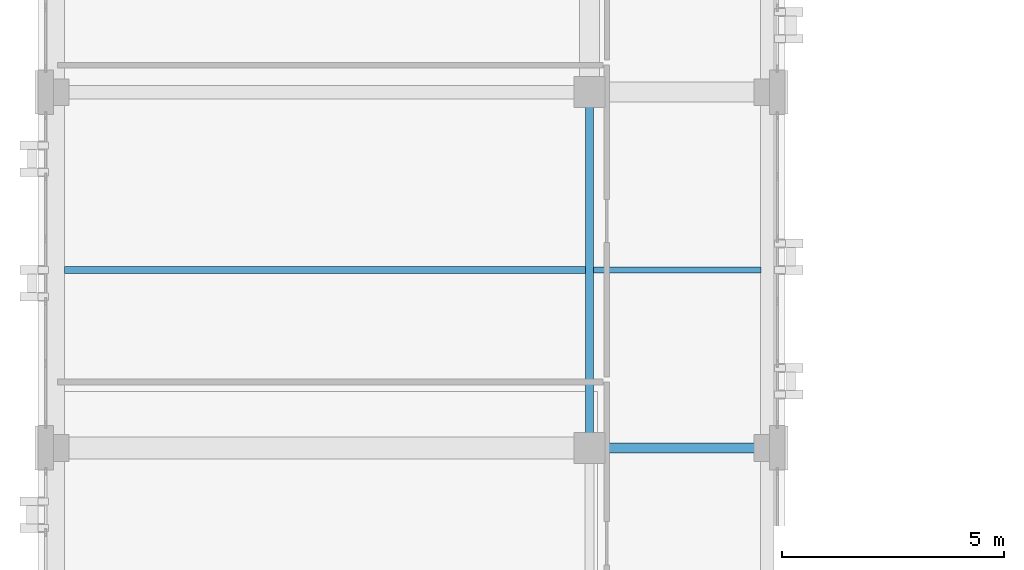
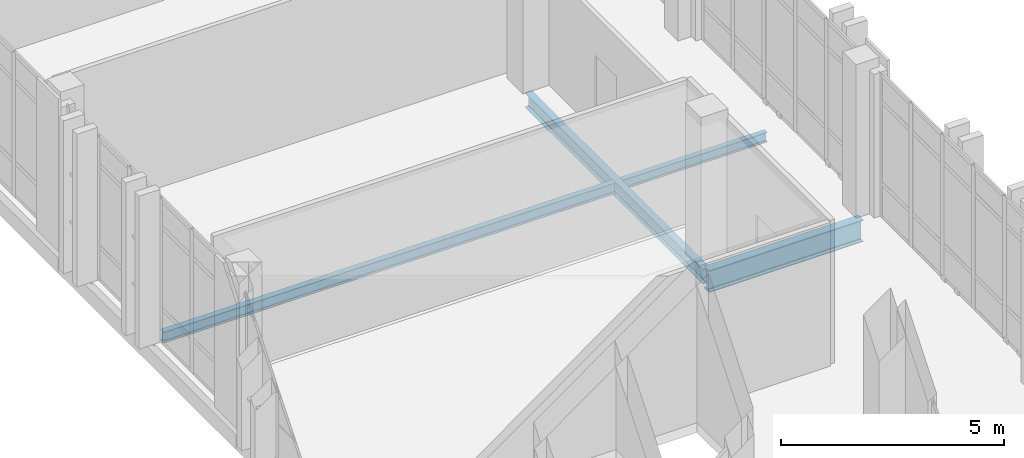
# One storey, part 11 of 48: 4 beams.
"""IFC4 building model written with IfcOpenShell, lengths in metres."""

import ifcopenshell
import ifcopenshell.guid

model = None  # the IFC model being written
_history = None  # IfcOwnerHistory: only IFC2X3 demands one
_inside = {}  # id of a spatial element -> (the spatial element, [elements in it])
_under = {}  # id of a project, library or spatial element -> (it, [spatial elements below it])
_declared = {}  # id of a project -> (the project, [libraries it declares])
_typed = {}  # id of a type object -> (the type object, [elements of that type])
_made_of = {}  # id of a material, layer set ... -> (it, [elements and type objects made of it])


def new_model(schema):
    """Start an empty IFC model of exactly this schema.

    Asked for "IFC4X3", IfcOpenShell would pick the latest addendum, in which some entities
    have other attributes; the version numbers below select the first issue.
    IFC2X3 requires an IfcOwnerHistory on every rooted entity: one is made here for all.
    """
    global model, _history
    if schema == "IFC4X3":
        model = ifcopenshell.file(schema_version=(4, 3, 0, 0))
    else:
        model = ifcopenshell.file(schema=schema)
    _inside.clear()
    _under.clear()
    _declared.clear()
    _typed.clear()
    _made_of.clear()
    _history = None
    if model.schema == "IFC2X3":
        org = make("IfcOrganization", Name="unknown")
        user = make(
            "IfcPersonAndOrganization",
            ThePerson=make("IfcPerson", FamilyName="unknown"),
            TheOrganization=org,
        )
        app = make(
            "IfcApplication",
            ApplicationDeveloper=org,
            Version="unknown",
            ApplicationFullName="unknown",
            ApplicationIdentifier="unknown",
        )
        _history = make(
            "IfcOwnerHistory",
            OwningUser=user,
            OwningApplication=app,
            ChangeAction="ADDED",
            CreationDate=0,
        )
    return model


def make(cls, **values):
    """One entity of the class cls with the attributes given. An attribute that is None is left unset."""
    return model.create_entity(
        cls, **{name: value for name, value in values.items() if value is not None}
    )


def rooted(cls, **values):
    """An entity with a GlobalId (a new one), such as an element, a storey or a relation."""
    return make(cls, GlobalId=ifcopenshell.guid.new(), OwnerHistory=_history, **values)


def si_unit(unit_type, name, prefix=None):
    """IfcSIUnit, for example si_unit("LENGTHUNIT", "METRE", prefix="MILLI")."""
    return make("IfcSIUnit", UnitType=unit_type, Prefix=prefix, Name=name)


def assignment(units):
    """IfcUnitAssignment: the units of a project."""
    return None if units is None else make("IfcUnitAssignment", Units=units)


def point(xyz):
    """IfcCartesianPoint."""
    return None if xyz is None else make("IfcCartesianPoint", Coordinates=xyz)


def direction(xyz):
    """IfcDirection."""
    return None if xyz is None else make("IfcDirection", DirectionRatios=xyz)


def frame(location, z_axis=None, x_axis=None):
    """IfcAxis2Placement3D, a coordinate frame: its origin and axes. An axis left out is left unset."""
    return make(
        "IfcAxis2Placement3D",
        Location=point(location),
        Axis=direction(z_axis),
        RefDirection=direction(x_axis),
    )


def frame_2d(location, x_axis=None):
    """IfcAxis2Placement2D, a coordinate frame in the plane: its origin and x axis."""
    return make(
        "IfcAxis2Placement2D", Location=point(location), RefDirection=direction(x_axis)
    )


def origin():
    """The frame at (0, 0, 0) with its axes left unset."""
    return frame((0.0, 0.0, 0.0))


def origin_2d():
    """The frame at (0, 0) in the plane with its x axis left unset."""
    return frame_2d((0.0, 0.0))


def place(relative_to, where):
    """IfcLocalPlacement: puts the frame where relative to a parent placement (None: the world)."""
    return make(
        "IfcLocalPlacement", PlacementRelTo=relative_to, RelativePlacement=where
    )


def context(
    kind, dimensions, precision=None, world=None, true_north=None, identifier=None
):
    """IfcGeometricRepresentationContext, for example the 3D "Model" context."""
    return make(
        "IfcGeometricRepresentationContext",
        ContextIdentifier=identifier,
        ContextType=kind,
        CoordinateSpaceDimension=dimensions,
        Precision=precision,
        WorldCoordinateSystem=world,
        TrueNorth=true_north,
    )


def subcontext(parent, identifier, kind, view, scale=None):
    """IfcGeometricRepresentationSubContext, for example "Body" below "Model"."""
    return make(
        "IfcGeometricRepresentationSubContext",
        ContextIdentifier=identifier,
        ContextType=kind,
        ParentContext=parent,
        TargetScale=scale,
        TargetView=view,
    )


def project(units=None, contexts=None):
    """IfcProject with its units and contexts."""
    return rooted(
        "IfcProject",
        Name="project",
        RepresentationContexts=contexts,
        UnitsInContext=assignment(units),
    )


def spatial(cls, under=None, at=None, **own):
    """A site, building, storey or space (cls), placed at a placement, below another one or the project."""
    s = rooted(cls, ObjectPlacement=at, **own)
    if under is not None:
        _under.setdefault(under.id(), (under, []))[1].append(s)
    return s


def profile(cls, at=None, kind="AREA", **sizes):
    """A parametric profile (cls). Its sizes go by their IFC names, for example OverallWidth=200.0."""
    return make(cls, ProfileType=kind, Position=at, **sizes)


def i_section(**sizes):
    """IfcIShapeProfileDef."""
    return profile("IfcIShapeProfileDef", **sizes)


def extrude(swept, where, along, depth):
    """IfcExtrudedAreaSolid: the profile swept, set in the frame where, extruded along a direction by depth."""
    return make(
        "IfcExtrudedAreaSolid",
        SweptArea=swept,
        Position=where,
        ExtrudedDirection=direction(along),
        Depth=depth,
    )


def shape(context_of_items, identifier, shape_type, items):
    """IfcShapeRepresentation: the items that make up one representation, for example the "Body"."""
    return make(
        "IfcShapeRepresentation",
        ContextOfItems=context_of_items,
        RepresentationIdentifier=identifier,
        RepresentationType=shape_type,
        Items=items,
    )


def material(Name=None, Category=None):
    """IfcMaterial."""
    return make("IfcMaterial", Name=Name, Category=Category)


def material_profile(
    of_material, cross_section, Name=None, Category=None, Priority=None
):
    """IfcMaterialProfile: a cross section and its material."""
    return make(
        "IfcMaterialProfile",
        Name=Name,
        Material=of_material,
        Profile=cross_section,
        Priority=Priority,
        Category=Category,
    )


def profile_set(profiles, Name=None, composite=None):
    """IfcMaterialProfileSet."""
    return make(
        "IfcMaterialProfileSet",
        Name=Name,
        MaterialProfiles=profiles,
        CompositeProfile=composite,
    )


def made_of(thing, what):
    """Note that an element or type object is made of a material, layer set ...; save() writes the relation."""
    if what is not None:
        _made_of.setdefault(what.id(), (what, []))[1].append(thing)
    return thing


def type_object(cls, material=None, **own):
    """A type object (cls), such as IfcWallType, which elements share."""
    return made_of(rooted(cls, **own), material)


def element(
    cls,
    number,
    at=None,
    inside=None,
    cuts=None,
    type_object=None,
    material=None,
    context=None,
    identifier="Body",
    shape_type=None,
    held_by="IfcProductDefinitionShape",
    body=None,
    shapes=None,
    **own,
):
    """One element of the class cls, such as IfcWall. Its Tag is "e" and its number.

    at: its placement. inside: the storey or other place that contains it. cuts: it is an
    opening in that element (IfcRelVoidsElement). A single representation is given by context,
    identifier, shape_type and body (its items); several are given by shapes. held_by: the class
    of the entity that holds the representations. save() writes the other relations.
    """
    e = rooted(cls, Tag="e%d" % number, ObjectPlacement=at, **own)
    if body is not None:
        shapes = [shape(context, identifier, shape_type, body)]
    if shapes is not None:
        e.Representation = make(held_by, Representations=shapes)
    if inside is not None:
        _inside.setdefault(inside.id(), (inside, []))[1].append(e)
    if cuts is not None:
        rooted(
            "IfcRelVoidsElement", RelatingBuildingElement=cuts, RelatedOpeningElement=e
        )
    if type_object is not None:
        _typed.setdefault(type_object.id(), (type_object, []))[1].append(e)
    return made_of(e, material)


def aggregate(whole, parts):
    """IfcRelAggregates: a whole, such as a stair, and the parts it consists of."""
    return rooted("IfcRelAggregates", RelatingObject=whole, RelatedObjects=parts)


def save(model, path):
    """Write the relations noted so far, then the file.

    IfcRelAggregates (storeys below a building ...), IfcRelContainedInSpatialStructure (elements
    in a storey), IfcRelDefinesByType, IfcRelAssociatesMaterial and IfcRelDeclares: one each for
    every whole, place, type object, material and project.
    """
    for whole, parts in _under.values():
        aggregate(whole, parts)
    for where, things in _inside.values():
        rooted(
            "IfcRelContainedInSpatialStructure",
            RelatedElements=things,
            RelatingStructure=where,
        )
    for kind, things in _typed.values():
        rooted("IfcRelDefinesByType", RelatedObjects=things, RelatingType=kind)
    for what, things in _made_of.values():
        rooted("IfcRelAssociatesMaterial", RelatedObjects=things, RelatingMaterial=what)
    for by, libraries in _declared.values():
        rooted("IfcRelDeclares", RelatingContext=by, RelatedDefinitions=libraries)
    model.write(path)


model = new_model("IFC4")

# Units and contexts
model_context = context("Model", 3, precision=1e-05, world=origin(), true_north=direction((0.0, 1.0)))
body_context = subcontext(model_context, "Body", "Model", "MODEL_VIEW")
ifc_project = project(units=[si_unit("LENGTHUNIT", "METRE"), si_unit("AREAUNIT", "SQUARE_METRE"), si_unit("VOLUMEUNIT", "CUBIC_METRE"), si_unit("PLANEANGLEUNIT", "RADIAN"), si_unit("MASSUNIT", "GRAM", prefix="KILO")], contexts=[model_context])

# Site, building, storey
site_placement = place(None, origin())
site = spatial("IfcSite", under=ifc_project, at=site_placement, CompositionType="ELEMENT")
building_placement = place(site_placement, origin())
building = spatial("IfcBuilding", under=site, at=building_placement, Name="Qalavern Law Courts", CompositionType="ELEMENT")
storey_placement = place(building_placement, frame((0.0, 0.0, 31.199951171875)))
storey = spatial("IfcBuildingStorey", under=building, at=storey_placement, Name="L07", CompositionType="ELEMENT", Elevation=31.199951171875)

# Beams
ifc_material = material(Name="Steel S355", Category="steel")
ifc_material_profile_1 = material_profile(ifc_material, i_section(OverallWidth=0.179931640625, OverallDepth=0.39990234375, WebThickness=0.008544921875, FlangeThickness=0.013427734375, FilletRadius=0.02099609375, at=origin_2d()), Name="IPE 400")
ifc_profile_set_1 = profile_set([ifc_material_profile_1], Name="Steel S355")
beam_type_1 = type_object("IfcBeamType", Name="STR-BM-IPE400", PredefinedType="BEAM", material=ifc_profile_set_1)
beam_1_placement = place(storey_placement, frame((14.39990234375, 57.39990234375, -0.46484375), z_axis=(0.0, 1.0, 0.0), x_axis=(-1.0, 0.0, 0.0)))
element("IfcBeam", 1, at=beam_1_placement, inside=storey, type_object=beam_type_1, Name="V3 Y-beam 2-3 L07", PredefinedType="BEAM", context=body_context, shape_type="SweptSolid", body=[
    extrude(i_section(OverallWidth=0.179931640625, OverallDepth=0.39990234375, WebThickness=0.008544921875, FlangeThickness=0.013427734375, FilletRadius=0.02099609375, at=origin_2d()), origin(), (0.0, 0.0, 1.0), 8.0),
])
ifc_material_profile_2 = material_profile(ifc_material, i_section(OverallWidth=0.219970703125, OverallDepth=0.60009765625, WebThickness=0.011962890625, FlangeThickness=0.01904296875, FilletRadius=0.02392578125, at=origin_2d()), Name="IPE 600")
ifc_profile_set_2 = profile_set([ifc_material_profile_2], Name="Steel S355")
beam_type_2 = type_object("IfcBeamType", Name="STR-BM-IPE600", PredefinedType="BEAM", material=ifc_profile_set_2)
beam_2_placement = place(storey_placement, frame((14.39990234375, 57.39990234375, -0.56494140625), z_axis=(1.0, 0.0, 0.0), x_axis=(0.0, 1.0, 0.0)))
element("IfcBeam", 2, at=beam_2_placement, inside=storey, type_object=beam_type_2, Name="V3 X-beam 3-2 L07", PredefinedType="BEAM", context=body_context, shape_type="SweptSolid", body=[
    extrude(i_section(OverallWidth=0.219970703125, OverallDepth=0.60009765625, WebThickness=0.011962890625, FlangeThickness=0.01904296875, FilletRadius=0.02392578125, at=origin_2d()), origin(), (0.0, 0.0, 1.0), 4.0),
])
ifc_material_profile_3 = material_profile(ifc_material, i_section(OverallWidth=0.135009765625, OverallDepth=0.27001953125, WebThickness=0.006591796875, FlangeThickness=0.01025390625, FilletRadius=0.014892578125, at=origin_2d()), Name="IPE 270")
ifc_profile_set_3 = profile_set([ifc_material_profile_3], Name="Steel S355")
beam_type_3 = type_object("IfcBeamType", Name="STR-JST-IPE270", PredefinedType="JOIST", material=ifc_profile_set_3)
beam_3_placement = place(storey_placement, frame((14.488037109375, 61.39990234375, -0.39990234375), z_axis=(1.0, 0.0, 0.0), x_axis=(0.0, 1.0, 0.0)))
element("IfcBeam", 3, at=beam_3_placement, inside=storey, type_object=beam_type_3, Name="V3 secondary joist 2.3.1 L07", PredefinedType="JOIST", context=body_context, shape_type="SweptSolid", body=[
    extrude(i_section(OverallWidth=0.135009765625, OverallDepth=0.27001953125, WebThickness=0.006591796875, FlangeThickness=0.01025390625, FilletRadius=0.014892578125, at=origin_2d()), origin(), (0.0, 0.0, 1.0), 3.763916015625),
])
ifc_material_profile_4 = material_profile(ifc_material, i_section(OverallWidth=0.14990234375, OverallDepth=0.300048828125, WebThickness=0.007080078125, FlangeThickness=0.0107421875, FilletRadius=0.014892578125, at=origin_2d()), Name="IPE 300")
ifc_profile_set_4 = profile_set([ifc_material_profile_4], Name="Steel S355")
beam_type_4 = type_object("IfcBeamType", Name="STR-JST-IPE300", PredefinedType="JOIST", material=ifc_profile_set_4)
beam_4_placement = place(storey_placement, frame((2.597900390625, 61.39990234375, -0.4150390625), z_axis=(1.0, 0.0, 0.0), x_axis=(0.0, 1.0, 0.0)))
element("IfcBeam", 4, at=beam_4_placement, inside=storey, type_object=beam_type_4, Name="V3 secondary joist 1.3.1 L07", PredefinedType="JOIST", context=body_context, shape_type="SweptSolid", body=[
    extrude(i_section(OverallWidth=0.14990234375, OverallDepth=0.300048828125, WebThickness=0.007080078125, FlangeThickness=0.0107421875, FilletRadius=0.014892578125, at=origin_2d()), origin(), (0.0, 0.0, 1.0), 11.714111328125),
])

save(model, "model.ifc")
